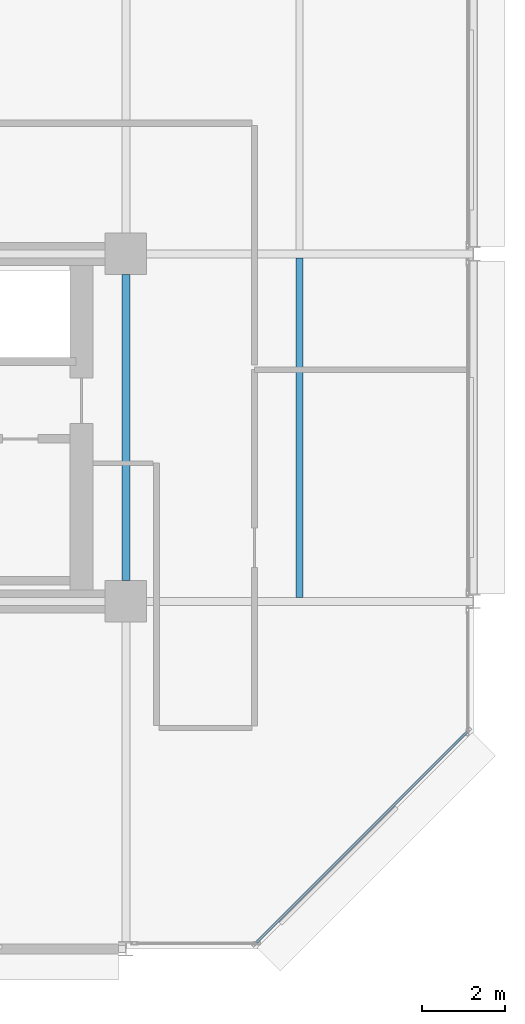
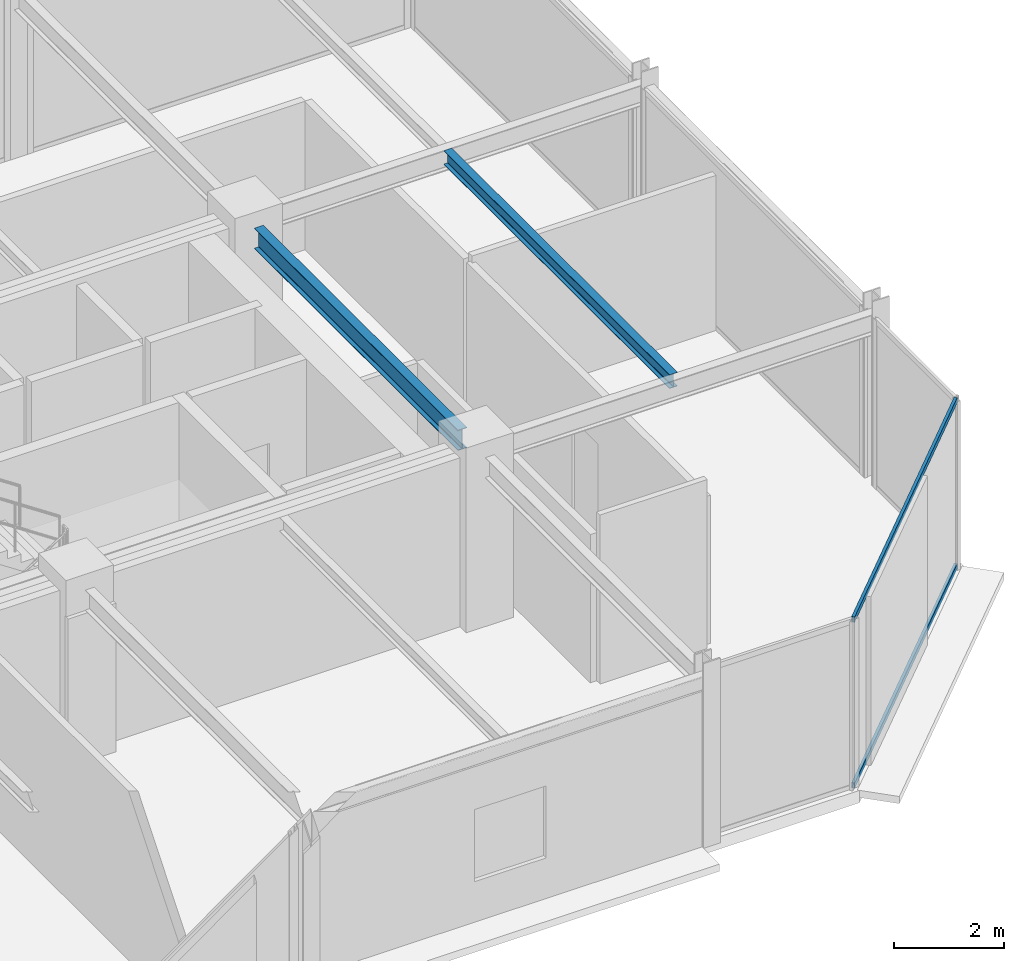
# One storey, part 12 of 30: 2 beams, 2 members, 1 element without a shape of its own.
"""IFC4 building model written with IfcOpenShell, lengths in metres."""

from ifc_helpers import new_model, si_unit, direction, frame, origin, origin_2d, place, context, subcontext, project, spatial, hollow_rectangle, i_section, extrude, material, layer, layer_set, material_profile, profile_set, type_object, element, aggregate, save


model = new_model("IFC4")

# Units and contexts
model_context = context("Model", 3, precision=1e-05, world=origin(), true_north=direction((0.0, 1.0)))
body_context = subcontext(model_context, "Body", "Model", "MODEL_VIEW")
ifc_project = project(units=[si_unit("LENGTHUNIT", "METRE"), si_unit("AREAUNIT", "SQUARE_METRE"), si_unit("VOLUMEUNIT", "CUBIC_METRE"), si_unit("PLANEANGLEUNIT", "RADIAN"), si_unit("MASSUNIT", "GRAM", prefix="KILO")], contexts=[model_context])

# Site, building, storey
site_placement = place(None, origin())
site = spatial("IfcSite", under=ifc_project, at=site_placement, CompositionType="ELEMENT")
building_placement = place(site_placement, origin())
building = spatial("IfcBuilding", under=site, at=building_placement, Name="Nerrivon Quay Data Exchange", CompositionType="ELEMENT")
storey_placement = place(building_placement, frame((0.0, 0.0, 216.5)))
storey = spatial("IfcBuildingStorey", under=building, at=storey_placement, Name="L51", CompositionType="ELEMENT", Elevation=216.5)

# Beams
ifc_material_1 = material(Name="Steel Grade 350", Category="steel")
ifc_material_profile_1 = material_profile(ifc_material_1, i_section(OverallWidth=0.18994140625, OverallDepth=0.4541015625, WebThickness=0.008544921875, FlangeThickness=0.0126953125, FilletRadius=0.011474609375, at=origin_2d()), Name="460UB67.1")
ifc_profile_set_1 = profile_set([ifc_material_profile_1], Name="Steel Grade 350")
beam_type_1 = type_object("IfcBeamType", Name="BM-G6-460UB67", PredefinedType="BEAM", material=ifc_profile_set_1)
beam_1_placement = place(storey_placement, frame((33.60009765625, 8.89990234375, 3.52294921875), z_axis=(0.0, 1.0, 0.0), x_axis=(-1.0, 0.0, 0.0)))
element("IfcBeam", 1, at=beam_1_placement, inside=storey, type_object=beam_type_1, Name="L51 NS Girder X=33.6 (8.4..16.8)", PredefinedType="BEAM", context=body_context, shape_type="SweptSolid", body=[
    extrude(i_section(OverallWidth=0.18994140625, OverallDepth=0.4541015625, WebThickness=0.008544921875, FlangeThickness=0.0126953125, FilletRadius=0.011474609375, at=origin_2d()), origin(), (0.0, 0.0, 1.0), 7.400146484375),
])
ifc_material_profile_2 = material_profile(ifc_material_1, i_section(OverallWidth=0.166015625, OverallDepth=0.306884765625, WebThickness=0.006591796875, FlangeThickness=0.01171875, FilletRadius=0.011474609375, at=origin_2d()), Name="310UB46.2")
ifc_profile_set_2 = profile_set([ifc_material_profile_2], Name="Steel Grade 350")
beam_type_2 = type_object("IfcBeamType", Name="BM-J5-310UB46", PredefinedType="JOIST", material=ifc_profile_set_2)
beam_2_placement = place(storey_placement, frame((37.800048828125, 8.49560546875, 3.596435546875), z_axis=(0.0, 1.0, 0.0), x_axis=(-1.0, 0.0, 0.0)))
element("IfcBeam", 2, at=beam_2_placement, inside=storey, type_object=beam_type_2, Name="L51 Secondary Joist X=37.8 (8.4..16.8)", PredefinedType="JOIST", context=body_context, shape_type="SweptSolid", body=[
    extrude(i_section(OverallWidth=0.166015625, OverallDepth=0.306884765625, WebThickness=0.006591796875, FlangeThickness=0.01171875, FilletRadius=0.011474609375, at=origin_2d()), origin(), (0.0, 0.0, 1.0), 8.208984375),
])

# Curtain wall, members
ifc_material_2 = material(Name="Anodised aluminium 6063-T6", Category="aluminium")
ifc_layer = layer(ifc_material_2, 0.195068359375)
ifc_layer_set = layer_set([ifc_layer], Name="Anodised aluminium 6063-T6")
curtain_wall_type = type_object("IfcCurtainWallType", Name="CW-SYS-06", PredefinedType="NOTDEFINED", material=ifc_layer_set)
curtain_wall_placement = place(storey_placement, origin())
curtain_wall = element("IfcCurtainWall", 3, at=curtain_wall_placement, inside=storey, type_object=curtain_wall_type, Name="L51 Unitised Curtain Wall 21", PredefinedType="NOTDEFINED")
ifc_material_profile_3 = material_profile(ifc_material_2, hollow_rectangle(XDim=0.06005859375, YDim=0.1201171875, WallThickness=0.003173828125, at=origin_2d()), Name="ALU-TRAN-120x60")
ifc_profile_set_3 = profile_set([ifc_material_profile_3], Name="Anodised aluminium 6063-T6")
member_type = type_object("IfcMemberType", Name="CWT-120x60", PredefinedType="USERDEFINED", material=ifc_profile_set_3)
member_1_placement = place(storey_placement, frame((41.847900390625, 5.245849609375, 0.032470703125), z_axis=(-0.707106781187, -0.707106781187, 0.0), x_axis=(0.707106781187, -0.707106781187, 0.0)))
member_1 = element("IfcMember", 4, at=member_1_placement, type_object=member_type, Name="CW06 transom 1.1", ObjectType="TRANSOM", PredefinedType="USERDEFINED", context=body_context, shape_type="SweptSolid", body=[
    extrude(hollow_rectangle(XDim=0.06005859375, YDim=0.1201171875, WallThickness=0.003173828125, at=origin_2d()), origin(), (0.0, 0.0, 1.0), 7.20361328125),
])
member_2_placement = place(storey_placement, frame((41.847900390625, 5.245849609375, 3.717529296875), z_axis=(-0.707106781187, -0.707106781187, 0.0), x_axis=(0.707106781187, -0.707106781187, 0.0)))
member_2 = element("IfcMember", 5, at=member_2_placement, type_object=member_type, Name="CW06 transom 1.2", ObjectType="TRANSOM", PredefinedType="USERDEFINED", context=body_context, shape_type="SweptSolid", body=[
    extrude(hollow_rectangle(XDim=0.06005859375, YDim=0.1201171875, WallThickness=0.003173828125, at=origin_2d()), origin(), (0.0, 0.0, 1.0), 7.20361328125),
])
aggregate(curtain_wall, [member_1, member_2])

save(model, "model.ifc")
